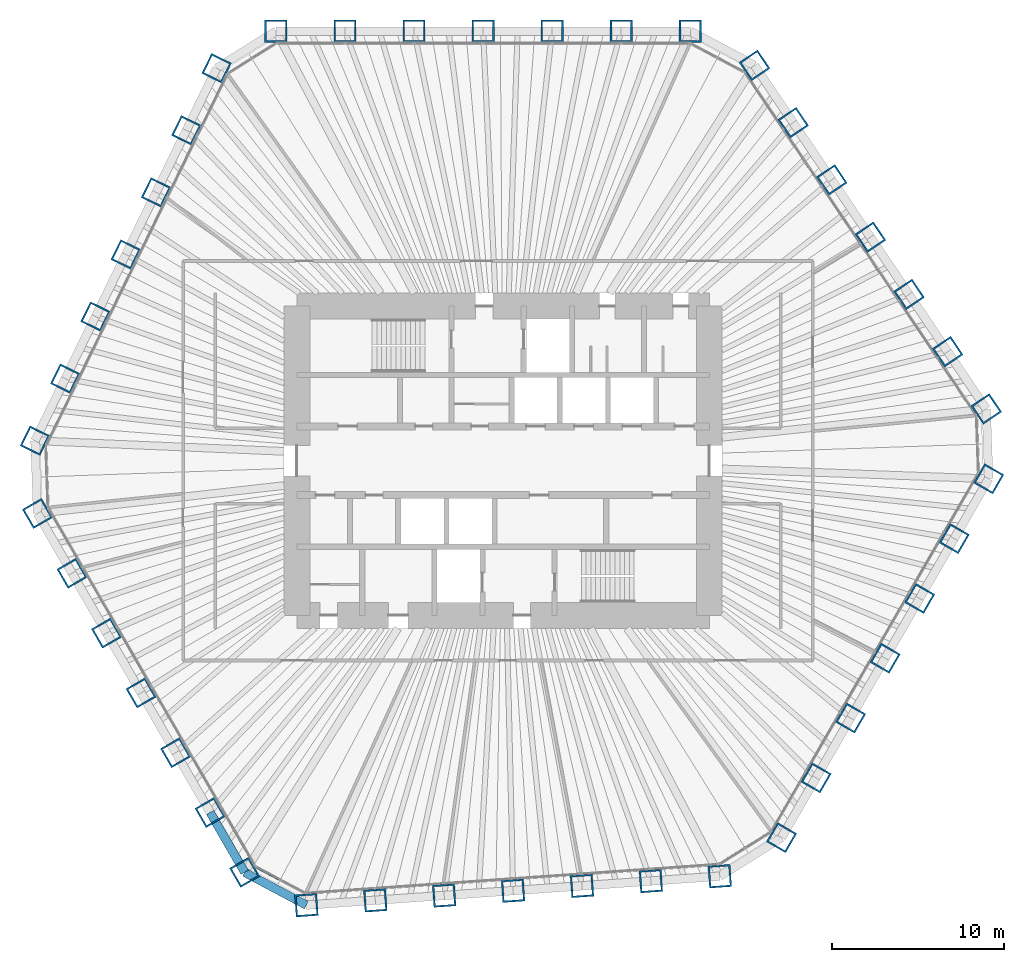
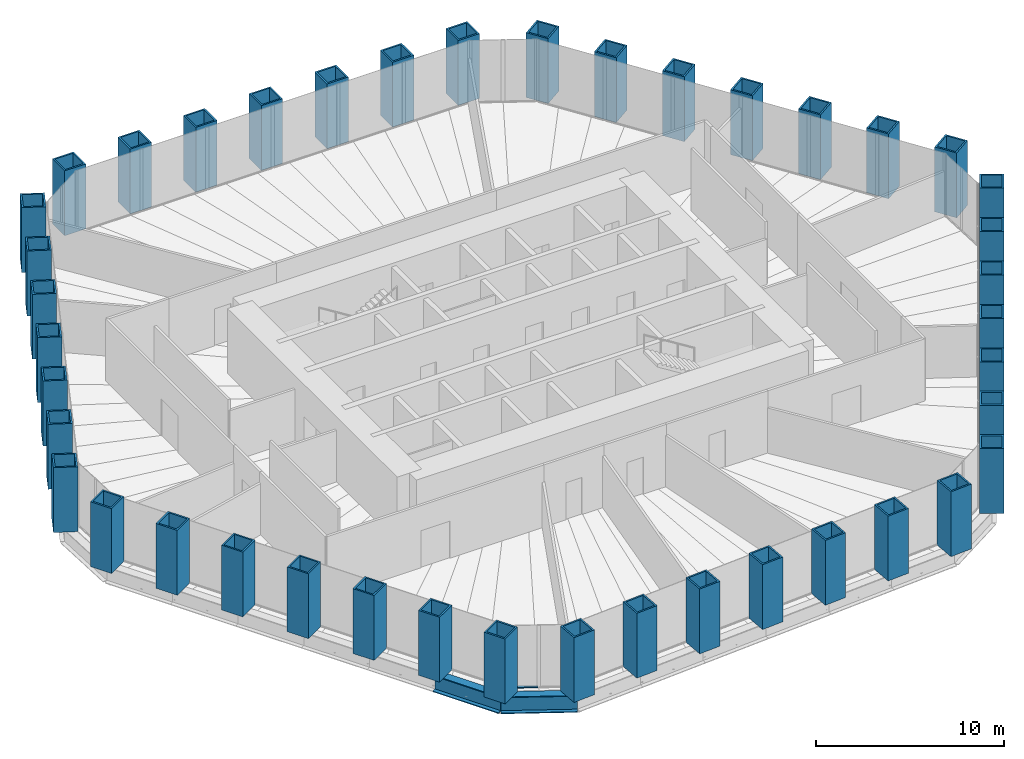
# One storey, part 1 of 13: 42 columns, 2 beams, 1 member, 1 element without a shape of its own.
"""IFC4 building model written with IfcOpenShell, lengths in metres."""

from ifc_helpers import new_model, si_unit, direction, frame, origin, origin_2d, place, context, subcontext, project, spatial, rectangle, hollow_rectangle, i_section, extrude, material, material_profile, profile_set, type_object, element, aggregate, save


model = new_model("IFC4")

# Units and contexts
model_context = context("Model", 3, precision=1e-05, world=origin(), true_north=direction((0.0, 1.0)))
body_context = subcontext(model_context, "Body", "Model", "MODEL_VIEW")
ifc_project = project(units=[si_unit("LENGTHUNIT", "METRE"), si_unit("AREAUNIT", "SQUARE_METRE"), si_unit("VOLUMEUNIT", "CUBIC_METRE"), si_unit("PLANEANGLEUNIT", "RADIAN"), si_unit("MASSUNIT", "GRAM", prefix="KILO")], contexts=[model_context])

# Site, building, storey
site_placement = place(None, origin())
site = spatial("IfcSite", under=ifc_project, at=site_placement, CompositionType="ELEMENT")
building_placement = place(site_placement, origin())
building = spatial("IfcBuilding", under=site, at=building_placement, Name="Qingtian Harvest Tower", CompositionType="ELEMENT")
storey_placement = place(building_placement, frame((0.0, 0.0, 115.60009765625)))
storey = spatial("IfcBuildingStorey", under=building, at=storey_placement, Name="L23", CompositionType="ELEMENT", Elevation=115.60009765625)

# Columns
ifc_material_1 = material(Name="Steel SM570MC", Category="steel")
ifc_material_profile_1 = material_profile(ifc_material_1, hollow_rectangle(XDim=1.300048828125, YDim=1.300048828125, WallThickness=0.10009765625, at=origin_2d()), Name="BOX1300x1300x100")
ifc_profile_set_1 = profile_set([ifc_material_profile_1], Name="Steel SM570MC")
column_type = type_object("IfcColumnType", Name="Tube column TC3 BOX1300x1300x100", PredefinedType="COLUMN", material=ifc_profile_set_1)
for number, where, z_axis, x_axis, name in (
    (1, (-13.2216796875, 25.0, 0.0), (0.0, 0.0, 1.0), (-1.0, 0.0, 0.0), "Tube column TC3 N0"),
    (2, (-9.20263671875, 25.0, 0.0), (0.0, 0.0, 1.0), (-1.0, 0.0, 0.0), "Tube column TC3 N1"),
    (3, (-5.18359375, 25.0, 0.0), (0.0, 0.0, 1.0), (-1.0, 0.0, 0.0), "Tube column TC3 N2"),
    (4, (-1.16455078125, 25.0, 0.0), (0.0, 0.0, 1.0), (-1.0, 0.0, 0.0), "Tube column TC3 N3"),
    (5, (2.8544921875, 25.0, 0.0), (0.0, 0.0, 1.0), (-1.0, 0.0, 0.0), "Tube column TC3 N4"),
    (6, (6.873779296875, 25.0, 0.0), (0.0, 0.0, 1.0), (-1.0, 0.0, 0.0), "Tube column TC3 N5"),
    (7, (10.892822265625, 25.0, 0.0), (0.0, 0.0, 1.0), (-1.0, 0.0, 0.0), "Tube column TC3 N6"),
    (8, (14.634765625, 23.01025390625, 0.0), (0.0, 0.0, 1.0), (-0.559192903471, 0.829037572555, 0.0), "Tube column TC3 NE0"),
    (9, (16.88232421875, 19.67822265625, 0.0), (0.0, 0.0, 1.0), (-0.559192903471, 0.829037572555, 0.0), "Tube column TC3 NE1"),
    (10, (19.129638671875, 16.346435546875, 0.0), (0.0, 0.0, 1.0), (-0.559192903471, 0.829037572555, 0.0), "Tube column TC3 NE2"),
    (11, (21.377197265625, 13.014404296875, 0.0), (0.0, 0.0, 1.0), (-0.559192903471, 0.829037572555, 0.0), "Tube column TC3 NE3"),
    (12, (23.62451171875, 9.682373046875, 0.0), (0.0, 0.0, 1.0), (-0.559192903471, 0.829037572555, 0.0), "Tube column TC3 NE4"),
    (13, (25.8720703125, 6.3505859375, 0.0), (0.0, 0.0, 1.0), (-0.559192903471, 0.829037572555, 0.0), "Tube column TC3 NE5"),
    (14, (28.119384765625, 3.0185546875, 0.0), (0.0, 0.0, 1.0), (-0.559192903471, 0.829037572555, 0.0), "Tube column TC3 NE6"),
    (15, (28.261474609375, -1.049560546875, 0.0), (0.0, 0.0, 1.0), (0.5, 0.866025403784, 0.0), "Tube column TC3 SE0"),
    (16, (26.251953125, -4.5302734375, 0.0), (0.0, 0.0, 1.0), (0.5, 0.866025403784, 0.0), "Tube column TC3 SE1"),
    (17, (24.242431640625, -8.010986328125, 0.0), (0.0, 0.0, 1.0), (0.5, 0.866025403784, 0.0), "Tube column TC3 SE2"),
    (18, (22.23291015625, -11.491455078125, 0.0), (0.0, 0.0, 1.0), (0.5, 0.866025403784, 0.0), "Tube column TC3 SE3"),
    (19, (20.223388671875, -14.97216796875, 0.0), (0.0, 0.0, 1.0), (0.5, 0.866025403784, 0.0), "Tube column TC3 SE4"),
    (20, (18.2138671875, -18.452880859375, 0.0), (0.0, 0.0, 1.0), (0.5, 0.866025403784, 0.0), "Tube column TC3 SE5"),
    (21, (16.204345703125, -21.933349609375, 0.0), (0.0, 0.0, 1.0), (0.5, 0.866025403784, 0.0), "Tube column TC3 SE6"),
    (22, (12.610107421875, -24.17919921875, 0.0), (0.0, 0.0, 1.0), (0.99756405026, 0.069756473744, 0.0), "Tube column TC3 S0"),
    (23, (8.600830078125, -24.459716796875, 0.0), (0.0, 0.0, 1.0), (0.99756405026, 0.069756473744, 0.0), "Tube column TC3 S1"),
    (24, (4.591552734375, -24.739990234375, 0.0), (0.0, 0.0, 1.0), (0.99756405026, 0.069756473744, 0.0), "Tube column TC3 S2"),
    (25, (0.582275390625, -25.020263671875, 0.0), (0.0, 0.0, 1.0), (0.99756405026, 0.069756473744, 0.0), "Tube column TC3 S3"),
    (26, (-3.427001953125, -25.30078125, 0.0), (0.0, 0.0, 1.0), (0.99756405026, 0.069756473744, 0.0), "Tube column TC3 S4"),
    (27, (-7.436279296875, -25.5810546875, 0.0), (0.0, 0.0, 1.0), (0.99756405026, 0.069756473744, 0.0), "Tube column TC3 S5"),
    (28, (-11.445556640625, -25.861328125, 0.0), (0.0, 0.0, 1.0), (0.99756405026, 0.069756473744, 0.0), "Tube column TC3 S6"),
    (29, (-15.039794921875, -23.950439453125, 0.0), (0.0, 0.0, 1.0), (0.5, -0.866025403784, 0.0), "Tube column TC3 SW0"),
    (30, (-17.04931640625, -20.4697265625, 0.0), (0.0, 0.0, 1.0), (0.5, -0.866025403784, 0.0), "Tube column TC3 SW1"),
    (31, (-19.058837890625, -16.989013671875, 0.0), (0.0, 0.0, 1.0), (0.5, -0.866025403784, 0.0), "Tube column TC3 SW2"),
    (32, (-21.068359375, -13.508544921875, 0.0), (0.0, 0.0, 1.0), (0.5, -0.866025403784, 0.0), "Tube column TC3 SW3"),
    (33, (-23.077880859375, -10.02783203125, 0.0), (0.0, 0.0, 1.0), (0.5, -0.866025403784, 0.0), "Tube column TC3 SW4"),
    (34, (-25.08740234375, -6.547119140625, 0.0), (0.0, 0.0, 1.0), (0.5, -0.866025403784, 0.0), "Tube column TC3 SW5"),
    (35, (-27.096923828125, -3.066650390625, 0.0), (0.0, 0.0, 1.0), (0.5, -0.866025403784, 0.0), "Tube column TC3 SW6"),
    (36, (-27.244873046875, 1.1689453125, 0.0), (0.0, 0.0, 1.0), (-0.438371146789, -0.898794046299, 0.0), "Tube column TC3 NW0"),
    (37, (-25.483154296875, 4.78125, 0.0), (0.0, 0.0, 1.0), (-0.438371146789, -0.898794046299, 0.0), "Tube column TC3 NW1"),
    (38, (-23.72119140625, 8.3935546875, 0.0), (0.0, 0.0, 1.0), (-0.438371146789, -0.898794046299, 0.0), "Tube column TC3 NW2"),
    (39, (-21.95947265625, 12.005859375, 0.0), (0.0, 0.0, 1.0), (-0.438371146789, -0.898794046299, 0.0), "Tube column TC3 NW3"),
    (40, (-20.197509765625, 15.6181640625, 0.0), (0.0, 0.0, 1.0), (-0.438371146789, -0.898794046299, 0.0), "Tube column TC3 NW4"),
    (41, (-18.435791015625, 19.23046875, 0.0), (0.0, 0.0, 1.0), (-0.438371146789, -0.898794046299, 0.0), "Tube column TC3 NW5"),
    (42, (-16.673828125, 22.8427734375, 0.0), (0.0, 0.0, 1.0), (-0.438371146789, -0.898794046299, 0.0), "Tube column TC3 NW6"),
):
    element("IfcColumn", number, at=place(storey_placement, frame(where, z_axis=z_axis, x_axis=x_axis)), inside=storey, type_object=column_type, Name=name, PredefinedType="COLUMN", context=body_context, shape_type="SweptSolid", body=[
        extrude(hollow_rectangle(XDim=1.300048828125, YDim=1.300048828125, WallThickness=0.10009765625, at=origin_2d()), origin(), (0.0, 0.0, 1.0), 4.199951171875),
    ])

# Beams
ifc_material_2 = material(Name="Steel SM570MC", Category="steel")
ifc_material_profile_2 = material_profile(ifc_material_2, i_section(OverallWidth=0.5, OverallDepth=1.10009765625, WebThickness=0.02490234375, FlangeThickness=0.050048828125, at=origin_2d()), Name="H1100x500x25x50")
ifc_profile_set_2 = profile_set([ifc_material_profile_2], Name="Steel SM570MC")
beam_type = type_object("IfcBeamType", Name="Spandrel beam SB2 H1100x500x25x50", PredefinedType="SPANDREL", material=ifc_profile_set_2)
beam_1_placement = place(storey_placement, frame((-11.445556640625, -25.861328125, -0.550048828125), z_axis=(-0.882968133669, 0.469432929101, 0.0), x_axis=(-0.469432929101, -0.882968133669, 0.0)))
element("IfcBeam", 43, at=beam_1_placement, inside=storey, type_object=beam_type, Name="Spandrel SB2 SC", PredefinedType="SPANDREL", context=body_context, shape_type="SweptSolid", body=[
    extrude(i_section(OverallWidth=0.5, OverallDepth=1.10009765625, WebThickness=0.02490234375, FlangeThickness=0.050048828125, at=origin_2d()), origin(), (0.0, 0.0, 1.0), 4.070556640625),
])
beam_2_placement = place(storey_placement, frame((-15.039794921875, -23.950439453125, -0.550048828125), z_axis=(-0.499987116613, 0.866032841884, 0.0), x_axis=(-0.866032841884, -0.499987116613, 0.0)))
element("IfcBeam", 44, at=beam_2_placement, inside=storey, type_object=beam_type, Name="Spandrel SB2 SW0", PredefinedType="SPANDREL", context=body_context, shape_type="SweptSolid", body=[
    extrude(i_section(OverallWidth=0.5, OverallDepth=1.10009765625, WebThickness=0.02490234375, FlangeThickness=0.050048828125, at=origin_2d()), origin(), (0.0, 0.0, 1.0), 4.01904296875),
])

# Curtain wall, member
ifc_material_3 = material(Name="Bronze-anodised aluminium curtain wall", Category="aluminium")
curtain_wall_type = type_object("IfcCurtainWallType", Name="Curtain wall CW4 office", PredefinedType="USERDEFINED", material=ifc_material_3)
curtain_wall_placement = place(storey_placement, origin())
curtain_wall = element("IfcCurtainWall", 45, at=curtain_wall_placement, inside=storey, type_object=curtain_wall_type, Name="Curtain wall CW4 L23 SC", ObjectType="RECESSED CURTAIN WALL", PredefinedType="USERDEFINED")
ifc_material_4 = material(Name="Bronze-anodised aluminium transom", Category="aluminium")
ifc_material_profile_3 = material_profile(ifc_material_4, rectangle(XDim=0.14990234375, YDim=0.06494140625, at=origin_2d()), Name="AL 65x150")
ifc_profile_set_3 = profile_set([ifc_material_profile_3], Name="Bronze-anodised aluminium transom")
member_type = type_object("IfcMemberType", Name="Transom CWT 65x150", PredefinedType="USERDEFINED", material=ifc_profile_set_3)
member_placement = place(storey_placement, frame((-12.99267578125, -24.366455078125, 0.032470703125), z_axis=(-0.882960338349, 0.46944759122, 0.0), x_axis=(-0.46944759122, -0.882960338349, 0.0)))
member = element("IfcMember", 46, at=member_placement, type_object=member_type, Name="CW4 transom 2.1", ObjectType="TRANSOM", PredefinedType="USERDEFINED", context=body_context, shape_type="SweptSolid", body=[
    extrude(rectangle(XDim=0.14990234375, YDim=0.06494140625, at=origin_2d()), origin(), (0.0, 0.0, 1.0), 1.56689453125),
])
aggregate(curtain_wall, [member])

save(model, "model.ifc")
